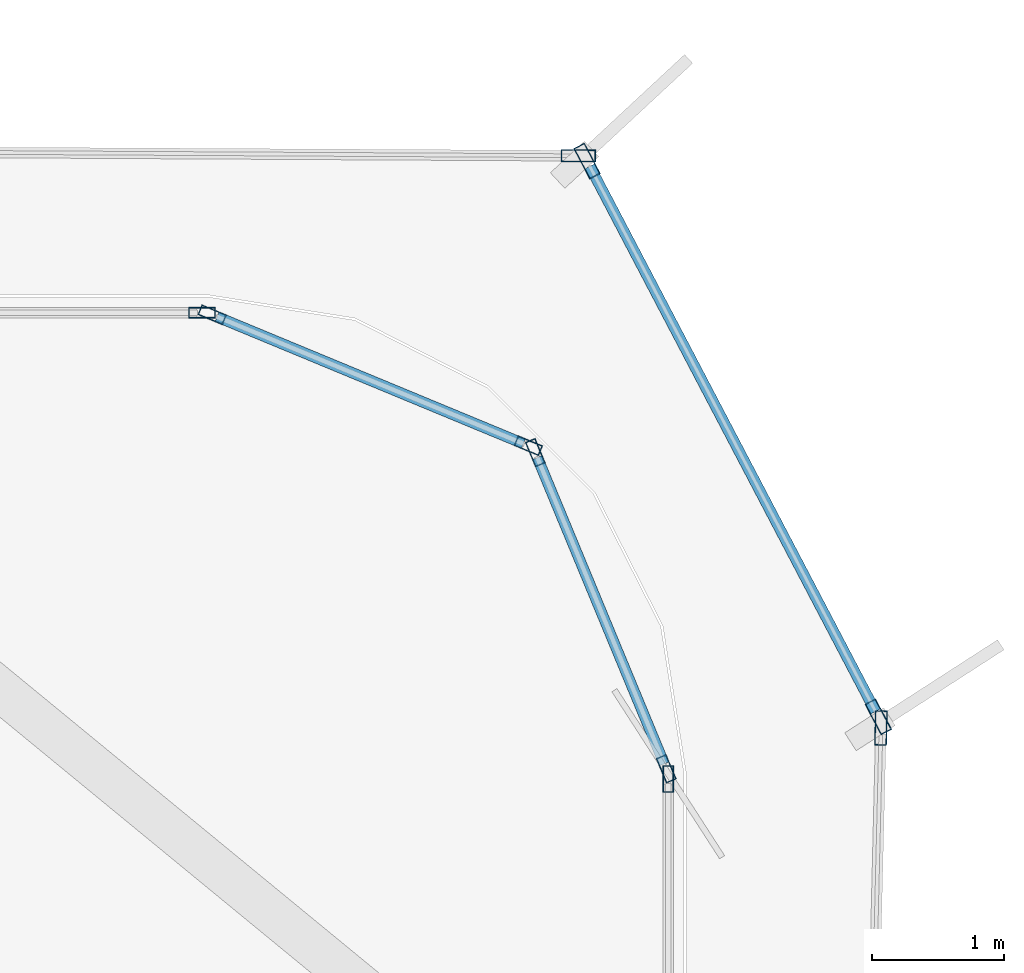
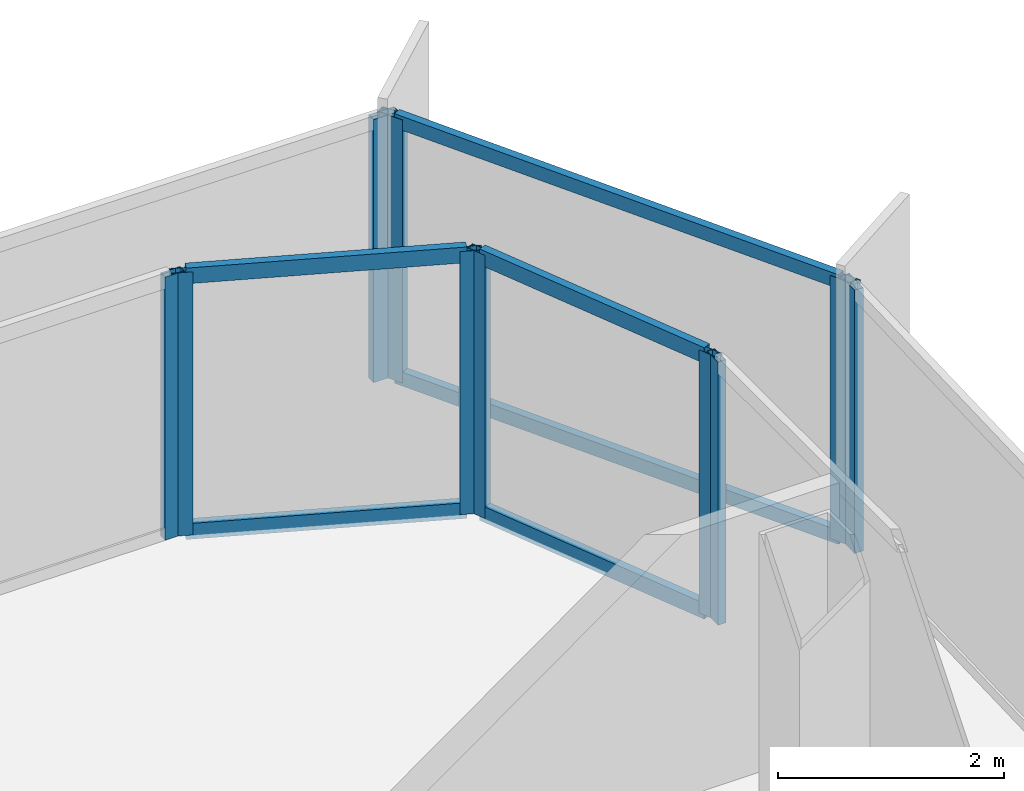
# One storey, part 8 of 15: 16 members, 7 elements without a shape of their own.
"""IFC4 building model written with IfcOpenShell, lengths in metres."""

from ifc_helpers import new_model, si_unit, direction, frame, origin, origin_2d, place, context, subcontext, project, spatial, hollow_rectangle, extrude, source, transform, mapped, material, layer, layer_set, material_profile, profile_set, type_object, element, aggregate, save


model = new_model("IFC4")

# Units and contexts
model_context = context("Model", 3, precision=1e-05, world=origin(), true_north=direction((0.0, 1.0)))
body_context = subcontext(model_context, "Body", "Model", "MODEL_VIEW")
ifc_project = project(units=[si_unit("LENGTHUNIT", "METRE"), si_unit("AREAUNIT", "SQUARE_METRE"), si_unit("VOLUMEUNIT", "CUBIC_METRE"), si_unit("PLANEANGLEUNIT", "RADIAN"), si_unit("MASSUNIT", "GRAM", prefix="KILO")], contexts=[model_context])

# Site, building, storey
site_placement = place(None, origin())
site = spatial("IfcSite", under=ifc_project, at=site_placement, CompositionType="ELEMENT")
building_placement = place(site_placement, origin())
building = spatial("IfcBuilding", under=site, at=building_placement, Name="Kolveth Station Tower", CompositionType="ELEMENT")
storey_placement = place(building_placement, frame((0.0, 0.0, 184.89990234375)))
storey = spatial("IfcBuildingStorey", under=building, at=storey_placement, Name="L52", CompositionType="ELEMENT", Elevation=184.89990234375)

# Curtain wall, member
ifc_material_1 = material(Name="Aluminium 6063-T6 and low-E dark glass", Category="aluminium")
ifc_layer_1 = layer(ifc_material_1, 0.18994140625)
ifc_layer_set_1 = layer_set([ifc_layer_1], Name="Aluminium 6063-T6 and low-E dark glass")
curtain_wall_type_1 = type_object("IfcCurtainWallType", Name="CurtainWall_CW-Z2", PredefinedType="NOTDEFINED", material=ifc_layer_set_1)
curtain_wall_1_placement = place(storey_placement, origin())
curtain_wall_1 = element("IfcCurtainWall", 1, at=curtain_wall_1_placement, inside=storey, type_object=curtain_wall_type_1, Name="L52 Inner Thermal Curtain Wall 3", PredefinedType="NOTDEFINED")
ifc_material_2 = material(Name="Black anodized aluminium 6063-T6", Category="aluminium")
ifc_material_profile_1 = material_profile(ifc_material_2, hollow_rectangle(XDim=0.080078125, YDim=0.199951171875, WallThickness=0.0048828125, at=origin_2d()), Name="ALU-80x200x5")
ifc_profile_set_1 = profile_set([ifc_material_profile_1], Name="Black anodized aluminium 6063-T6")
member_type_1 = type_object("IfcMemberType", Name="Mullion_ML2", PredefinedType="MULLION", material=ifc_profile_set_1)
shared_shape_1 = source(origin(), body_context, "Body", "SweptSolid", [
    extrude(hollow_rectangle(XDim=0.080078125, YDim=0.199951171875, WallThickness=0.0048828125, at=origin_2d()), origin(), (0.0, 0.0, 1.0), 2.840087890625),
])
member_1_placement = place(storey_placement, frame((41.679931640625, 31.659912109375, 0.0), z_axis=(0.0, 0.0, 1.0), x_axis=(-1.0, 0.0, 0.0)))
member_1 = element("IfcMember", 2, at=member_1_placement, type_object=member_type_1, Name="CW-Z2 mullion 2", PredefinedType="MULLION", context=body_context, shape_type="MappedRepresentation", body=[
    mapped(shared_shape_1, transform((0.0, 0.0, 0.0), x_axis=(1.0, 0.0, 0.0), y_axis=(0.0, 1.0, 0.0), z_axis=(0.0, 0.0, 1.0), scale=1.0)),
])
aggregate(curtain_wall_1, [member_1])

# Curtain wall, members
curtain_wall_2_placement = place(storey_placement, origin())
curtain_wall_2 = element("IfcCurtainWall", 3, at=curtain_wall_2_placement, inside=storey, type_object=curtain_wall_type_1, Name="L52 Inner Thermal Curtain Wall 4", PredefinedType="NOTDEFINED")
member_2_placement = place(storey_placement, frame((41.664794921875, 31.737060546875, 0.0), z_axis=(0.0, 0.0, 1.0), x_axis=(-0.923873600544, -0.382697753087, 0.0)))
member_2 = element("IfcMember", 4, at=member_2_placement, type_object=member_type_1, Name="CW-Z2 mullion 1", PredefinedType="MULLION", context=body_context, shape_type="MappedRepresentation", body=[
    mapped(shared_shape_1, transform((0.0, 0.0, 0.0), x_axis=(1.0, 0.0, 0.0), y_axis=(0.0, 1.0, 0.0), z_axis=(0.0, 0.0, 1.0), scale=1.0)),
])
member_3_placement = place(storey_placement, frame((40.676025390625, 34.123779296875, 0.0), z_axis=(0.0, 0.0, 1.0), x_axis=(-0.923873600544, -0.382697753087, 0.0)))
member_3 = element("IfcMember", 5, at=member_3_placement, type_object=member_type_1, Name="CW-Z2 mullion 2", PredefinedType="MULLION", context=body_context, shape_type="MappedRepresentation", body=[
    mapped(shared_shape_1, transform((0.0, 0.0, 0.0), x_axis=(1.0, 0.0, 0.0), y_axis=(0.0, 1.0, 0.0), z_axis=(0.0, 0.0, 1.0), scale=1.0)),
])

curtain_wall_3_placement = place(storey_placement, origin())
curtain_wall_3 = element("IfcCurtainWall", 6, at=curtain_wall_3_placement, inside=storey, type_object=curtain_wall_type_1, Name="L52 Inner Thermal Curtain Wall 5", PredefinedType="NOTDEFINED")
member_4_placement = place(storey_placement, frame((40.623779296875, 34.176025390625, 0.0), z_axis=(0.0, 0.0, 1.0), x_axis=(-0.382697753087, -0.923873600544, 0.0)))
member_4 = element("IfcMember", 7, at=member_4_placement, type_object=member_type_1, Name="CW-Z2 mullion 1", PredefinedType="MULLION", context=body_context, shape_type="MappedRepresentation", body=[
    mapped(shared_shape_1, transform((0.0, 0.0, 0.0), x_axis=(1.0, 0.0, 0.0), y_axis=(0.0, 1.0, 0.0), z_axis=(0.0, 0.0, 1.0), scale=1.0)),
])
member_5_placement = place(storey_placement, frame((38.237060546875, 35.164794921875, 0.0), z_axis=(0.0, 0.0, 1.0), x_axis=(-0.382697753087, -0.923873600544, 0.0)))
member_5 = element("IfcMember", 8, at=member_5_placement, type_object=member_type_1, Name="CW-Z2 mullion 2", PredefinedType="MULLION", context=body_context, shape_type="MappedRepresentation", body=[
    mapped(shared_shape_1, transform((0.0, 0.0, 0.0), x_axis=(1.0, 0.0, 0.0), y_axis=(0.0, 1.0, 0.0), z_axis=(0.0, 0.0, 1.0), scale=1.0)),
])

# Curtain wall, member
curtain_wall_4_placement = place(storey_placement, origin())
curtain_wall_4 = element("IfcCurtainWall", 9, at=curtain_wall_4_placement, inside=storey, type_object=curtain_wall_type_1, Name="L52 Inner Thermal Curtain Wall 6", PredefinedType="NOTDEFINED")
member_6_placement = place(storey_placement, frame((38.159912109375, 35.179931640625, 0.0), z_axis=(0.0, 0.0, 1.0), x_axis=(0.0, -1.0, 0.0)))
member_6 = element("IfcMember", 10, at=member_6_placement, type_object=member_type_1, Name="CW-Z2 mullion 1", PredefinedType="MULLION", context=body_context, shape_type="MappedRepresentation", body=[
    mapped(shared_shape_1, transform((0.0, 0.0, 0.0), x_axis=(1.0, 0.0, 0.0), y_axis=(0.0, 1.0, 0.0), z_axis=(0.0, 0.0, 1.0), scale=1.0)),
])
aggregate(curtain_wall_4, [member_6])

ifc_material_3 = material(Name="Black anodized aluminium 6063-T6 and dark solar glass", Category="aluminium")
ifc_layer_2 = layer(ifc_material_3, 0.159912109375)
ifc_layer_set_2 = layer_set([ifc_layer_2], Name="Black anodized aluminium 6063-T6 and dark solar glass")
curtain_wall_type_2 = type_object("IfcCurtainWallType", Name="OUTER SKIN CW-OS", PredefinedType="NOTDEFINED", material=ifc_layer_set_2)
curtain_wall_5_placement = place(storey_placement, origin())
curtain_wall_5 = element("IfcCurtainWall", 11, at=curtain_wall_5_placement, inside=storey, type_object=curtain_wall_type_2, Name="L52 Outer Ventilated Skin Curtain Wall 2", PredefinedType="NOTDEFINED")
ifc_material_profile_2 = material_profile(ifc_material_2, hollow_rectangle(XDim=0.090087890625, YDim=0.260009765625, WallThickness=0.0048828125, at=origin_2d()), Name="ALU-90x260x5")
ifc_profile_set_2 = profile_set([ifc_material_profile_2], Name="Black anodized aluminium 6063-T6")
member_type_2 = type_object("IfcMemberType", Name="FIN MULLION ML-OS", PredefinedType="MULLION", material=ifc_profile_set_2)
shared_shape_2 = source(origin(), body_context, "Body", "SweptSolid", [
    extrude(hollow_rectangle(XDim=0.090087890625, YDim=0.260009765625, WallThickness=0.0048828125, at=origin_2d()), origin(), (0.0, 0.0, 1.0), 2.840087890625),
])
member_7_placement = place(storey_placement, frame((43.28564453125, 32.044921875, 0.0), z_axis=(0.0, 0.0, 1.0), x_axis=(-0.999703247268, 0.024360160134, 0.0)))
member_7 = element("IfcMember", 12, at=member_7_placement, type_object=member_type_2, Name="CW-OS mullion 2", PredefinedType="MULLION", context=body_context, shape_type="MappedRepresentation", body=[
    mapped(shared_shape_2, transform((0.0, 0.0, 0.0), x_axis=(1.0, 0.0, 0.0), y_axis=(0.0, 1.0, 0.0), z_axis=(0.0, 0.0, 1.0), scale=1.0)),
])
aggregate(curtain_wall_5, [member_7])

# Curtain wall, members
curtain_wall_6_placement = place(storey_placement, origin())
curtain_wall_6 = element("IfcCurtainWall", 13, at=curtain_wall_6_placement, inside=storey, type_object=curtain_wall_type_2, Name="L52 Outer Ventilated Skin Curtain Wall 3", PredefinedType="NOTDEFINED")
member_8_placement = place(storey_placement, frame((43.265869140625, 32.129638671875, 0.0), z_axis=(0.0, 0.0, 1.0), x_axis=(-0.88571106599, -0.464236908899, 0.0)))
member_8 = element("IfcMember", 14, at=member_8_placement, type_object=member_type_2, Name="CW-OS mullion 1", PredefinedType="MULLION", context=body_context, shape_type="MappedRepresentation", body=[
    mapped(shared_shape_2, transform((0.0, 0.0, 0.0), x_axis=(1.0, 0.0, 0.0), y_axis=(0.0, 1.0, 0.0), z_axis=(0.0, 0.0, 1.0), scale=1.0)),
])
member_9_placement = place(storey_placement, frame((41.06689453125, 36.324951171875, 0.0), z_axis=(0.0, 0.0, 1.0), x_axis=(-0.88571106599, -0.464236908899, 0.0)))
member_9 = element("IfcMember", 15, at=member_9_placement, type_object=member_type_2, Name="CW-OS mullion 2", PredefinedType="MULLION", context=body_context, shape_type="MappedRepresentation", body=[
    mapped(shared_shape_2, transform((0.0, 0.0, 0.0), x_axis=(1.0, 0.0, 0.0), y_axis=(0.0, 1.0, 0.0), z_axis=(0.0, 0.0, 1.0), scale=1.0)),
])

# Curtain wall, member
curtain_wall_7_placement = place(storey_placement, origin())
curtain_wall_7 = element("IfcCurtainWall", 16, at=curtain_wall_7_placement, inside=storey, type_object=curtain_wall_type_2, Name="L52 Outer Ventilated Skin Curtain Wall 4", PredefinedType="NOTDEFINED")
member_10_placement = place(storey_placement, frame((41.001220703125, 36.364990234375, 0.0), z_axis=(0.0, 0.0, 1.0), x_axis=(-0.005549251373, -0.999984602786, 0.0)))
member_10 = element("IfcMember", 17, at=member_10_placement, type_object=member_type_2, Name="CW-OS mullion 1", PredefinedType="MULLION", context=body_context, shape_type="MappedRepresentation", body=[
    mapped(shared_shape_2, transform((0.0, 0.0, 0.0), x_axis=(1.0, 0.0, 0.0), y_axis=(0.0, 1.0, 0.0), z_axis=(0.0, 0.0, 1.0), scale=1.0)),
])
aggregate(curtain_wall_7, [member_10])

# Member
ifc_material_profile_3 = material_profile(ifc_material_2, hollow_rectangle(XDim=0.080078125, YDim=0.169921875, WallThickness=0.0048828125, at=origin_2d()), Name="ALU-80x170x5")
ifc_profile_set_3 = profile_set([ifc_material_profile_3], Name="Black anodized aluminium 6063-T6")
member_type_3 = type_object("IfcMemberType", Name="Transom_TR2", PredefinedType="USERDEFINED", material=ifc_profile_set_3)
shared_shape_3 = source(origin(), body_context, "Body", "SweptSolid", [
    extrude(hollow_rectangle(XDim=0.080078125, YDim=0.169921875, WallThickness=0.0048828125, at=origin_2d()), origin(), (0.0, 0.0, 1.0), 2.50341796875),
])
member_11_placement = place(storey_placement, frame((41.6494140625, 31.77392578125, 0.0400390625), z_axis=(-0.382696328882, 0.923874190494, 0.0), x_axis=(-0.923874190494, -0.382696328882, 0.0)))
member_11 = element("IfcMember", 18, at=member_11_placement, type_object=member_type_3, Name="CW-Z2 transom 1.1", ObjectType="TRANSOM", PredefinedType="USERDEFINED", context=body_context, shape_type="MappedRepresentation", body=[
    mapped(shared_shape_3, transform((0.0, 0.0, 0.0), x_axis=(1.0, 0.0, 0.0), y_axis=(0.0, 1.0, 0.0), z_axis=(0.0, 0.0, 1.0), scale=1.0)),
])

member_12_placement = place(storey_placement, frame((41.6494140625, 31.77392578125, 2.800048828125), z_axis=(-0.382696328882, 0.923874190494, 0.0), x_axis=(-0.923874190494, -0.382696328882, 0.0)))
member_12 = element("IfcMember", 19, at=member_12_placement, type_object=member_type_3, Name="CW-Z2 transom 1.2", ObjectType="TRANSOM", PredefinedType="USERDEFINED", context=body_context, shape_type="MappedRepresentation", body=[
    mapped(shared_shape_3, transform((0.0, 0.0, 0.0), x_axis=(1.0, 0.0, 0.0), y_axis=(0.0, 1.0, 0.0), z_axis=(0.0, 0.0, 1.0), scale=1.0)),
])

aggregate(curtain_wall_2, [member_2, member_3, member_11, member_12])

member_13_placement = place(storey_placement, frame((40.586669921875, 34.19140625, 0.0400390625), z_axis=(-0.923874190494, 0.382696328882, 0.0), x_axis=(-0.382696328882, -0.923874190494, 0.0)))
member_13 = element("IfcMember", 20, at=member_13_placement, type_object=member_type_3, Name="CW-Z2 transom 1.1", ObjectType="TRANSOM", PredefinedType="USERDEFINED", context=body_context, shape_type="MappedRepresentation", body=[
    mapped(shared_shape_3, transform((0.0, 0.0, 0.0), x_axis=(1.0, 0.0, 0.0), y_axis=(0.0, 1.0, 0.0), z_axis=(0.0, 0.0, 1.0), scale=1.0)),
])

member_14_placement = place(storey_placement, frame((40.586669921875, 34.19140625, 2.800048828125), z_axis=(-0.923874190494, 0.382696328882, 0.0), x_axis=(-0.382696328882, -0.923874190494, 0.0)))
member_14 = element("IfcMember", 21, at=member_14_placement, type_object=member_type_3, Name="CW-Z2 transom 1.2", ObjectType="TRANSOM", PredefinedType="USERDEFINED", context=body_context, shape_type="MappedRepresentation", body=[
    mapped(shared_shape_3, transform((0.0, 0.0, 0.0), x_axis=(1.0, 0.0, 0.0), y_axis=(0.0, 1.0, 0.0), z_axis=(0.0, 0.0, 1.0), scale=1.0)),
])

aggregate(curtain_wall_3, [member_4, member_5, member_13, member_14])

ifc_material_profile_4 = material_profile(ifc_material_2, hollow_rectangle(XDim=0.080078125, YDim=0.14990234375, WallThickness=0.0048828125, at=origin_2d()), Name="ALU-80x150x5")
ifc_profile_set_4 = profile_set([ifc_material_profile_4], Name="Black anodized aluminium 6063-T6")
member_type_4 = type_object("IfcMemberType", Name="Transom_TR-OS", PredefinedType="USERDEFINED", material=ifc_profile_set_4)
shared_shape_4 = source(origin(), body_context, "Body", "SweptSolid", [
    extrude(hollow_rectangle(XDim=0.080078125, YDim=0.14990234375, WallThickness=0.0048828125, at=origin_2d()), origin(), (0.0, 0.0, 1.0), 4.646728515625),
])
member_15_placement = place(storey_placement, frame((43.2451171875, 32.16943359375, 0.0400390625), z_axis=(-0.464238638543, 0.885710159411, 0.0), x_axis=(-0.885710159411, -0.464238638543, 0.0)))
member_15 = element("IfcMember", 22, at=member_15_placement, type_object=member_type_4, Name="CW-OS transom 1.1", ObjectType="TRANSOM", PredefinedType="USERDEFINED", context=body_context, shape_type="MappedRepresentation", body=[
    mapped(shared_shape_4, transform((0.0, 0.0, 0.0), x_axis=(1.0, 0.0, 0.0), y_axis=(0.0, 1.0, 0.0), z_axis=(0.0, 0.0, 1.0), scale=1.0)),
])

member_16_placement = place(storey_placement, frame((43.2451171875, 32.16943359375, 2.800048828125), z_axis=(-0.464238638543, 0.885710159411, 0.0), x_axis=(-0.885710159411, -0.464238638543, 0.0)))
member_16 = element("IfcMember", 23, at=member_16_placement, type_object=member_type_4, Name="CW-OS transom 1.2", ObjectType="TRANSOM", PredefinedType="USERDEFINED", context=body_context, shape_type="MappedRepresentation", body=[
    mapped(shared_shape_4, transform((0.0, 0.0, 0.0), x_axis=(1.0, 0.0, 0.0), y_axis=(0.0, 1.0, 0.0), z_axis=(0.0, 0.0, 1.0), scale=1.0)),
])

aggregate(curtain_wall_6, [member_8, member_9, member_15, member_16])

save(model, "model.ifc")
